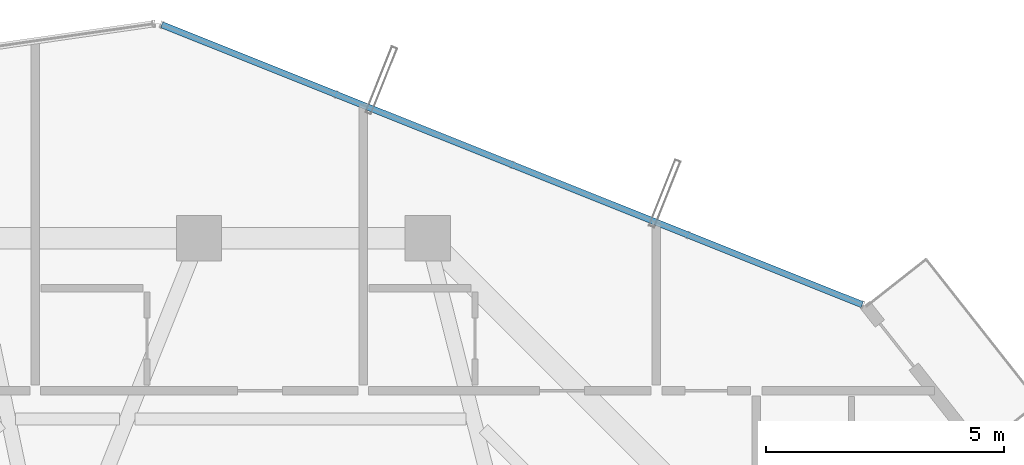
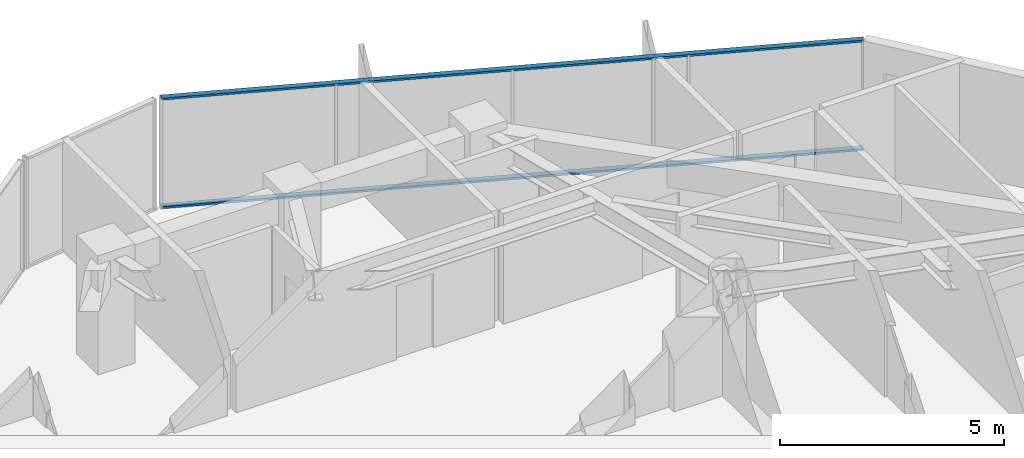
# One storey, part 24 of 31: 2 members, 1 element without a shape of its own.
"""IFC4 building model written with IfcOpenShell, lengths in metres."""

import ifcopenshell
import ifcopenshell.guid

model = None  # the IFC model being written
_history = None  # IfcOwnerHistory: only IFC2X3 demands one
_inside = {}  # id of a spatial element -> (the spatial element, [elements in it])
_under = {}  # id of a project, library or spatial element -> (it, [spatial elements below it])
_declared = {}  # id of a project -> (the project, [libraries it declares])
_typed = {}  # id of a type object -> (the type object, [elements of that type])
_made_of = {}  # id of a material, layer set ... -> (it, [elements and type objects made of it])


def new_model(schema):
    """Start an empty IFC model of exactly this schema.

    Asked for "IFC4X3", IfcOpenShell would pick the latest addendum, in which some entities
    have other attributes; the version numbers below select the first issue.
    IFC2X3 requires an IfcOwnerHistory on every rooted entity: one is made here for all.
    """
    global model, _history
    if schema == "IFC4X3":
        model = ifcopenshell.file(schema_version=(4, 3, 0, 0))
    else:
        model = ifcopenshell.file(schema=schema)
    _inside.clear()
    _under.clear()
    _declared.clear()
    _typed.clear()
    _made_of.clear()
    _history = None
    if model.schema == "IFC2X3":
        org = make("IfcOrganization", Name="unknown")
        user = make(
            "IfcPersonAndOrganization",
            ThePerson=make("IfcPerson", FamilyName="unknown"),
            TheOrganization=org,
        )
        app = make(
            "IfcApplication",
            ApplicationDeveloper=org,
            Version="unknown",
            ApplicationFullName="unknown",
            ApplicationIdentifier="unknown",
        )
        _history = make(
            "IfcOwnerHistory",
            OwningUser=user,
            OwningApplication=app,
            ChangeAction="ADDED",
            CreationDate=0,
        )
    return model


def make(cls, **values):
    """One entity of the class cls with the attributes given. An attribute that is None is left unset."""
    return model.create_entity(
        cls, **{name: value for name, value in values.items() if value is not None}
    )


def rooted(cls, **values):
    """An entity with a GlobalId (a new one), such as an element, a storey or a relation."""
    return make(cls, GlobalId=ifcopenshell.guid.new(), OwnerHistory=_history, **values)


def si_unit(unit_type, name, prefix=None):
    """IfcSIUnit, for example si_unit("LENGTHUNIT", "METRE", prefix="MILLI")."""
    return make("IfcSIUnit", UnitType=unit_type, Prefix=prefix, Name=name)


def assignment(units):
    """IfcUnitAssignment: the units of a project."""
    return None if units is None else make("IfcUnitAssignment", Units=units)


def point(xyz):
    """IfcCartesianPoint."""
    return None if xyz is None else make("IfcCartesianPoint", Coordinates=xyz)


def direction(xyz):
    """IfcDirection."""
    return None if xyz is None else make("IfcDirection", DirectionRatios=xyz)


def frame(location, z_axis=None, x_axis=None):
    """IfcAxis2Placement3D, a coordinate frame: its origin and axes. An axis left out is left unset."""
    return make(
        "IfcAxis2Placement3D",
        Location=point(location),
        Axis=direction(z_axis),
        RefDirection=direction(x_axis),
    )


def frame_2d(location, x_axis=None):
    """IfcAxis2Placement2D, a coordinate frame in the plane: its origin and x axis."""
    return make(
        "IfcAxis2Placement2D", Location=point(location), RefDirection=direction(x_axis)
    )


def origin():
    """The frame at (0, 0, 0) with its axes left unset."""
    return frame((0.0, 0.0, 0.0))


def origin_2d():
    """The frame at (0, 0) in the plane with its x axis left unset."""
    return frame_2d((0.0, 0.0))


def place(relative_to, where):
    """IfcLocalPlacement: puts the frame where relative to a parent placement (None: the world)."""
    return make(
        "IfcLocalPlacement", PlacementRelTo=relative_to, RelativePlacement=where
    )


def context(
    kind, dimensions, precision=None, world=None, true_north=None, identifier=None
):
    """IfcGeometricRepresentationContext, for example the 3D "Model" context."""
    return make(
        "IfcGeometricRepresentationContext",
        ContextIdentifier=identifier,
        ContextType=kind,
        CoordinateSpaceDimension=dimensions,
        Precision=precision,
        WorldCoordinateSystem=world,
        TrueNorth=true_north,
    )


def subcontext(parent, identifier, kind, view, scale=None):
    """IfcGeometricRepresentationSubContext, for example "Body" below "Model"."""
    return make(
        "IfcGeometricRepresentationSubContext",
        ContextIdentifier=identifier,
        ContextType=kind,
        ParentContext=parent,
        TargetScale=scale,
        TargetView=view,
    )


def project(units=None, contexts=None):
    """IfcProject with its units and contexts."""
    return rooted(
        "IfcProject",
        Name="project",
        RepresentationContexts=contexts,
        UnitsInContext=assignment(units),
    )


def spatial(cls, under=None, at=None, **own):
    """A site, building, storey or space (cls), placed at a placement, below another one or the project."""
    s = rooted(cls, ObjectPlacement=at, **own)
    if under is not None:
        _under.setdefault(under.id(), (under, []))[1].append(s)
    return s


def profile(cls, at=None, kind="AREA", **sizes):
    """A parametric profile (cls). Its sizes go by their IFC names, for example OverallWidth=200.0."""
    return make(cls, ProfileType=kind, Position=at, **sizes)


def hollow_rectangle(**sizes):
    """IfcRectangleHollowProfileDef."""
    return profile("IfcRectangleHollowProfileDef", **sizes)


def extrude(swept, where, along, depth):
    """IfcExtrudedAreaSolid: the profile swept, set in the frame where, extruded along a direction by depth."""
    return make(
        "IfcExtrudedAreaSolid",
        SweptArea=swept,
        Position=where,
        ExtrudedDirection=direction(along),
        Depth=depth,
    )


def shape(context_of_items, identifier, shape_type, items):
    """IfcShapeRepresentation: the items that make up one representation, for example the "Body"."""
    return make(
        "IfcShapeRepresentation",
        ContextOfItems=context_of_items,
        RepresentationIdentifier=identifier,
        RepresentationType=shape_type,
        Items=items,
    )


def source(mapping_origin, context_of_items, identifier, shape_type, items):
    """IfcRepresentationMap: a shape defined once, which mapped items show again and again."""
    return make(
        "IfcRepresentationMap",
        MappingOrigin=mapping_origin,
        MappedRepresentation=shape(context_of_items, identifier, shape_type, items),
    )


def transform(
    local_origin,
    x_axis=None,
    y_axis=None,
    z_axis=None,
    scale=None,
    scale2=None,
    scale3=None,
    uniform=True,
):
    """IfcCartesianTransformationOperator3D, or its non-uniform kind. x_axis, y_axis, z_axis: its Axis1, 2, 3."""
    if uniform:
        return make(
            "IfcCartesianTransformationOperator3D",
            Axis1=direction(x_axis),
            Axis2=direction(y_axis),
            LocalOrigin=point(local_origin),
            Scale=scale,
            Axis3=direction(z_axis),
        )
    return make(
        "IfcCartesianTransformationOperator3DnonUniform",
        Axis1=direction(x_axis),
        Axis2=direction(y_axis),
        LocalOrigin=point(local_origin),
        Scale=scale,
        Axis3=direction(z_axis),
        Scale2=scale2,
        Scale3=scale3,
    )


def mapped(mapping_source, mapping_target):
    """IfcMappedItem: shows the shape of a source again, moved by a transform."""
    return make(
        "IfcMappedItem", MappingSource=mapping_source, MappingTarget=mapping_target
    )


def material(Name=None, Category=None):
    """IfcMaterial."""
    return make("IfcMaterial", Name=Name, Category=Category)


def layer(
    of_material, thickness, ventilated=None, Name=None, Category=None, Priority=None
):
    """IfcMaterialLayer: one layer of a wall or slab, of a material (None: an air gap)."""
    return make(
        "IfcMaterialLayer",
        Material=of_material,
        LayerThickness=thickness,
        IsVentilated=ventilated,
        Name=Name,
        Category=Category,
        Priority=Priority,
    )


def layer_set(layers, Name=None):
    """IfcMaterialLayerSet."""
    return make("IfcMaterialLayerSet", MaterialLayers=layers, LayerSetName=Name)


def material_profile(
    of_material, cross_section, Name=None, Category=None, Priority=None
):
    """IfcMaterialProfile: a cross section and its material."""
    return make(
        "IfcMaterialProfile",
        Name=Name,
        Material=of_material,
        Profile=cross_section,
        Priority=Priority,
        Category=Category,
    )


def profile_set(profiles, Name=None, composite=None):
    """IfcMaterialProfileSet."""
    return make(
        "IfcMaterialProfileSet",
        Name=Name,
        MaterialProfiles=profiles,
        CompositeProfile=composite,
    )


def made_of(thing, what):
    """Note that an element or type object is made of a material, layer set ...; save() writes the relation."""
    if what is not None:
        _made_of.setdefault(what.id(), (what, []))[1].append(thing)
    return thing


def type_object(cls, material=None, **own):
    """A type object (cls), such as IfcWallType, which elements share."""
    return made_of(rooted(cls, **own), material)


def element(
    cls,
    number,
    at=None,
    inside=None,
    cuts=None,
    type_object=None,
    material=None,
    context=None,
    identifier="Body",
    shape_type=None,
    held_by="IfcProductDefinitionShape",
    body=None,
    shapes=None,
    **own,
):
    """One element of the class cls, such as IfcWall. Its Tag is "e" and its number.

    at: its placement. inside: the storey or other place that contains it. cuts: it is an
    opening in that element (IfcRelVoidsElement). A single representation is given by context,
    identifier, shape_type and body (its items); several are given by shapes. held_by: the class
    of the entity that holds the representations. save() writes the other relations.
    """
    e = rooted(cls, Tag="e%d" % number, ObjectPlacement=at, **own)
    if body is not None:
        shapes = [shape(context, identifier, shape_type, body)]
    if shapes is not None:
        e.Representation = make(held_by, Representations=shapes)
    if inside is not None:
        _inside.setdefault(inside.id(), (inside, []))[1].append(e)
    if cuts is not None:
        rooted(
            "IfcRelVoidsElement", RelatingBuildingElement=cuts, RelatedOpeningElement=e
        )
    if type_object is not None:
        _typed.setdefault(type_object.id(), (type_object, []))[1].append(e)
    return made_of(e, material)


def aggregate(whole, parts):
    """IfcRelAggregates: a whole, such as a stair, and the parts it consists of."""
    return rooted("IfcRelAggregates", RelatingObject=whole, RelatedObjects=parts)


def save(model, path):
    """Write the relations noted so far, then the file.

    IfcRelAggregates (storeys below a building ...), IfcRelContainedInSpatialStructure (elements
    in a storey), IfcRelDefinesByType, IfcRelAssociatesMaterial and IfcRelDeclares: one each for
    every whole, place, type object, material and project.
    """
    for whole, parts in _under.values():
        aggregate(whole, parts)
    for where, things in _inside.values():
        rooted(
            "IfcRelContainedInSpatialStructure",
            RelatedElements=things,
            RelatingStructure=where,
        )
    for kind, things in _typed.values():
        rooted("IfcRelDefinesByType", RelatedObjects=things, RelatingType=kind)
    for what, things in _made_of.values():
        rooted("IfcRelAssociatesMaterial", RelatedObjects=things, RelatingMaterial=what)
    for by, libraries in _declared.values():
        rooted("IfcRelDeclares", RelatingContext=by, RelatedDefinitions=libraries)
    model.write(path)


model = new_model("IFC4")

# Units and contexts
model_context = context("Model", 3, precision=1e-05, world=origin(), true_north=direction((0.0, 1.0)))
body_context = subcontext(model_context, "Body", "Model", "MODEL_VIEW")
ifc_project = project(units=[si_unit("LENGTHUNIT", "METRE"), si_unit("AREAUNIT", "SQUARE_METRE"), si_unit("VOLUMEUNIT", "CUBIC_METRE"), si_unit("PLANEANGLEUNIT", "RADIAN"), si_unit("MASSUNIT", "GRAM", prefix="KILO")], contexts=[model_context])

# Site, building, storey
site_placement = place(None, origin())
site = spatial("IfcSite", under=ifc_project, at=site_placement, CompositionType="ELEMENT")
building_placement = place(site_placement, origin())
building = spatial("IfcBuilding", under=site, at=building_placement, Name="Veraguas Prism Commons", CompositionType="ELEMENT")
storey_placement = place(building_placement, frame((0.0, 0.0, 178.85009765625)))
storey = spatial("IfcBuildingStorey", under=building, at=storey_placement, Name="L50", CompositionType="ELEMENT", Elevation=178.85009765625)

# Curtain wall, members
ifc_material = material(Name="Anodised aluminium EN AW-6063 T6", Category="aluminium")
ifc_layer = layer(ifc_material, 0.14990234375, Name="Unitised Flush Curtain Wall Zone 3", Category="aluminium")
ifc_layer_set = layer_set([ifc_layer], Name="Anodised aluminium EN AW-6063 T6")
curtain_wall_type = type_object("IfcCurtainWallType", Name="Unitised Flush Curtain Wall Zone 3", PredefinedType="NOTDEFINED", material=ifc_layer_set)
curtain_wall_placement = place(storey_placement, origin())
curtain_wall = element("IfcCurtainWall", 1, at=curtain_wall_placement, inside=storey, type_object=curtain_wall_type, Name="Tower Facade Curtain Wall L50-F1", PredefinedType="NOTDEFINED")
ifc_material_profile = material_profile(ifc_material, hollow_rectangle(XDim=0.054931640625, YDim=0.135009765625, WallThickness=0.0029296875, at=origin_2d()), Name="AL55X135X3")
ifc_profile_set = profile_set([ifc_material_profile], Name="Anodised aluminium EN AW-6063 T6")
member_type = type_object("IfcMemberType", Name="Curtain Wall Transom Standard AL 55x135x3", PredefinedType="USERDEFINED", material=ifc_profile_set)
shared_shape = source(origin(), body_context, "Body", "SweptSolid", [
    extrude(hollow_rectangle(XDim=0.054931640625, YDim=0.135009765625, WallThickness=0.0029296875, at=origin_2d()), origin(), (0.0, 0.0, 1.0), 15.84228515625),
])
member_1_placement = place(storey_placement, frame((37.927001953125, 37.5068359375, 0.02734375), z_axis=(-0.928615853031, 0.371042581789, 0.0), x_axis=(0.0, 0.0, 1.0)))
member_1 = element("IfcMember", 2, at=member_1_placement, type_object=member_type, Name="CW-Z3 Transom 1", ObjectType="TRANSOM", PredefinedType="USERDEFINED", context=body_context, shape_type="MappedRepresentation", body=[
    mapped(shared_shape, transform((0.0, 0.0, 0.0), scale=1.0)),
])
member_2_placement = place(storey_placement, frame((37.927001953125, 37.5068359375, 2.9873046875), z_axis=(-0.928615853031, 0.371042581789, 0.0), x_axis=(0.0, 0.0, 1.0)))
member_2 = element("IfcMember", 3, at=member_2_placement, type_object=member_type, Name="CW-Z3 Transom 2", ObjectType="TRANSOM", PredefinedType="USERDEFINED", context=body_context, shape_type="MappedRepresentation", body=[
    mapped(shared_shape, transform((0.0, 0.0, 0.0), scale=1.0)),
])
aggregate(curtain_wall, [member_1, member_2])

save(model, "model.ifc")
